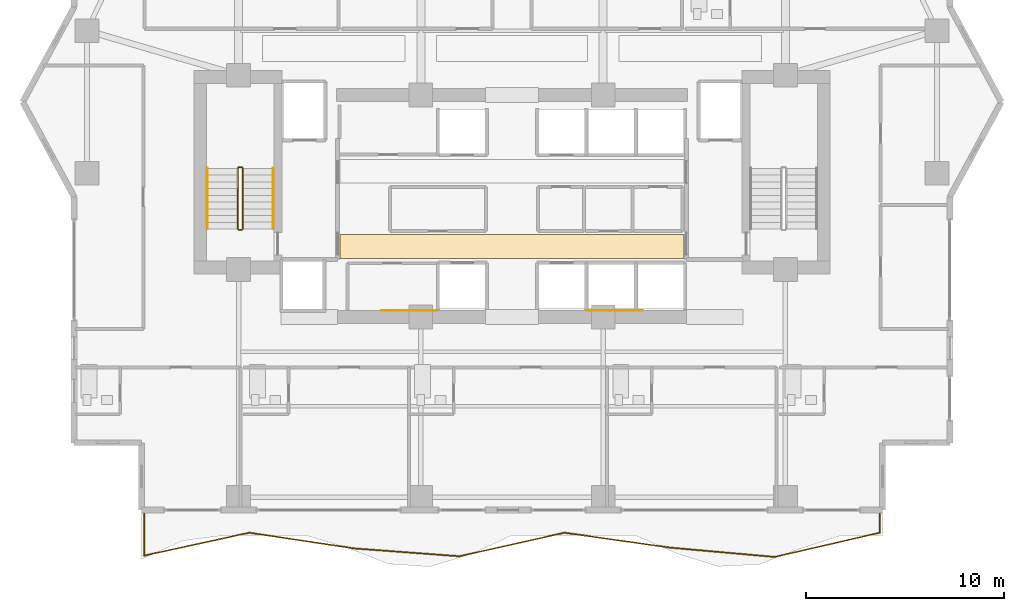
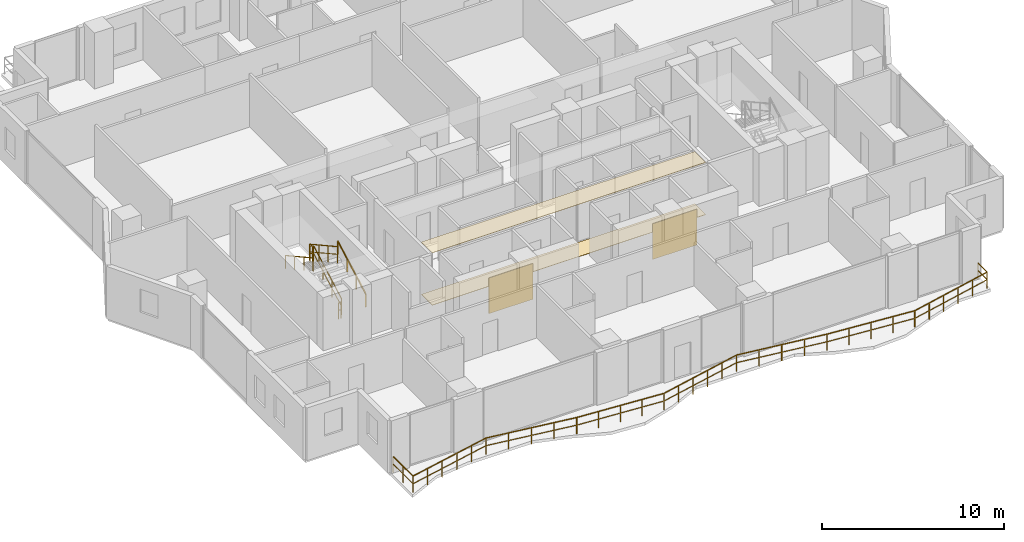
# One storey, part 29 of 32: 7 railings, 4 coverings.
"""IFC4 building model written with IfcOpenShell, lengths in metres."""

from ifc_helpers import new_model, si_unit, direction, frame, origin, origin_2d, place, context, subcontext, project, spatial, polyline, rectangle, outline, extrude, material, layer, layer_set, type_object, element, save


model = new_model("IFC4")

# Units and contexts
model_context = context("Model", 3, precision=1e-05, world=origin(), true_north=direction((0.0, 1.0)))
body_context = subcontext(model_context, "Body", "Model", "MODEL_VIEW")
ifc_project = project(units=[si_unit("LENGTHUNIT", "METRE"), si_unit("AREAUNIT", "SQUARE_METRE"), si_unit("VOLUMEUNIT", "CUBIC_METRE"), si_unit("PLANEANGLEUNIT", "RADIAN"), si_unit("MASSUNIT", "GRAM", prefix="KILO")], contexts=[model_context])

# Site, building, storey
site_placement = place(None, origin())
site = spatial("IfcSite", under=ifc_project, at=site_placement, CompositionType="ELEMENT")
building_placement = place(site_placement, origin())
building = spatial("IfcBuilding", under=site, at=building_placement, Name="Zuhayl Quay Hotel", CompositionType="ELEMENT")
storey_placement = place(building_placement, frame((0.0, 0.0, 177.39990234375)))
storey = spatial("IfcBuildingStorey", under=building, at=storey_placement, Name="L44", CompositionType="ELEMENT", Elevation=177.39990234375)

# Coverings
ifc_material_1 = material(Name="Acoustic Mineral-Fibre Gypsum Board")
ifc_layer_1 = layer(ifc_material_1, 0.02490234375, Name="Acoustic Mineral-Fibre Gypsum Board")
ifc_layer_set_1 = layer_set([ifc_layer_1], Name="Acoustic Mineral-Fibre Gypsum Board")
covering_type_1 = type_object("IfcCoveringType", Name="CV_CEIL_ACOUSTIC", PredefinedType="CEILING", material=ifc_layer_set_1)
covering_1_placement = place(storey_placement, frame((0.0, 0.0, 3.505126953125)))
element("IfcCovering", 1, at=covering_1_placement, inside=storey, type_object=covering_type_1, Name="L44 Suspended Acoustic Lobby Ceiling S", PredefinedType="CEILING", context=body_context, shape_type="SweptSolid", body=[
    extrude(outline(polyline([(-8.679931640625, 5.10009765625), (8.679931640625, 5.10009765625), (8.679931640625, 6.300048828125), (-8.679931640625, 6.300048828125), (-8.679931640625, 5.10009765625)])), origin(), (0.0, 0.0, 1.0), 0.02490234375),
])
ifc_material_2 = material(Name="Polished Limestone Terrazzo", Category="masonry")
ifc_layer_2 = layer(ifc_material_2, 0.02001953125, Name="Polished Limestone Terrazzo", Category="masonry")
ifc_layer_set_2 = layer_set([ifc_layer_2], Name="Polished Limestone Terrazzo")
covering_type_2 = type_object("IfcCoveringType", Name="CV_FLOOR_TERRAZZO", PredefinedType="FLOORING", material=ifc_layer_set_2)
covering_2_placement = place(storey_placement, origin())
element("IfcCovering", 2, at=covering_2_placement, inside=storey, type_object=covering_type_2, Name="L44 Honed Limestone Terrazzo Lobby Flooring S", PredefinedType="FLOORING", context=body_context, shape_type="SweptSolid", body=[
    extrude(outline(polyline([(-8.679931640625, 5.10009765625), (8.679931640625, 5.10009765625), (8.679931640625, 6.300048828125), (-8.679931640625, 6.300048828125), (-8.679931640625, 5.10009765625)])), origin(), (0.0, 0.0, 1.0), 0.02001953125),
])
ifc_material_3 = material(Name="Acoustic Walnut Feature Timber", Category="wood")
ifc_layer_3 = layer(ifc_material_3, 0.02197265625, Name="Acoustic Walnut Feature Timber", Category="wood")
ifc_layer_set_3 = layer_set([ifc_layer_3], Name="Acoustic Walnut Feature Timber")
covering_type_3 = type_object("IfcCoveringType", Name="CV_WALL_CLAD", PredefinedType="CLADDING", material=ifc_layer_set_3)
for number, where, z_axis, x_axis, name in (
    (3, (-5.199951171875, 2.486083984375, 0.300048828125), (0.0, 0.0, 1.0), (1.0, 0.0, 0.0), "L44 Feature Lobby Walnut Wall Cladding W"),
    (4, (5.199951171875, 2.486083984375, 0.300048828125), (0.0, 0.0, 1.0), (1.0, 0.0, 0.0), "L44 Feature Lobby Walnut Wall Cladding E"),
):
    element("IfcCovering", number, at=place(storey_placement, frame(where, z_axis=z_axis, x_axis=x_axis)), inside=storey, type_object=covering_type_3, Name=name, PredefinedType="CLADDING", context=body_context, shape_type="SweptSolid", body=[
        extrude(rectangle(XDim=2.800048828125, YDim=0.02197265625, at=origin_2d()), origin(), (0.0, 0.0, 1.0), 2.39990234375),
    ])

# Railings
ifc_material_4 = material(Name="Anodised Aluminium and Laminated Glass", Category="aluminium")
railing_type_1 = type_object("IfcRailingType", Name="RL_EXT_BAL_1100", PredefinedType="BALUSTRADE", material=ifc_material_4)
railing_1_placement = place(storey_placement, frame((-18.56005859375, -7.719970703125, 0.0)))
element("IfcRailing", 5, at=railing_1_placement, inside=storey, type_object=railing_type_1, Name="L44 Balcony and Terrace Guard GR_L44_BAL_S", PredefinedType="BALUSTRADE", context=body_context, shape_type="SweptSolid", body=[
    extrude(rectangle(XDim=0.048095703125, YDim=0.048095703125, at=origin_2d()), frame((0.0, 0.0, 1.09619140625), z_axis=(0.0, -1.0, 0.0), x_axis=(1.0, 0.0, 0.0)), (0.0, 0.0, 1.0), 2.174072265625),
    extrude(rectangle(XDim=0.0361328125, YDim=0.0361328125, at=origin_2d()), frame((0.0, 0.0, 0.58251953125), z_axis=(0.0, -1.0, 0.0), x_axis=(1.0, 0.0, 0.0)), (0.0, 0.0, 1.0), 2.174072265625),
    extrude(rectangle(XDim=0.048095703125, YDim=0.048095703125, at=origin_2d()), frame((0.0, -2.174072265625, 1.09619140625), z_axis=(0.977129243213, 0.212646283903, 0.0), x_axis=(-0.212646283903, 0.977129243213, 0.0)), (0.0, 0.0, 1.0), 5.427001953125),
    extrude(rectangle(XDim=0.0361328125, YDim=0.0361328125, at=origin_2d()), frame((0.0, -2.174072265625, 0.58251953125), z_axis=(0.977129243213, 0.212646283903, 0.0), x_axis=(-0.212646283903, 0.977129243213, 0.0)), (0.0, 0.0, 1.0), 5.427001953125),
    extrude(rectangle(XDim=0.048095703125, YDim=0.048095703125, at=origin_2d()), frame((5.302978515625, -1.02001953125, 1.09619140625), z_axis=(0.989003050956, -0.147895115539, 0.0), x_axis=(0.147895115539, 0.989003050956, 0.0)), (0.0, 0.0, 1.0), 5.36181640625),
    extrude(rectangle(XDim=0.0361328125, YDim=0.0361328125, at=origin_2d()), frame((5.302978515625, -1.02001953125, 0.58251953125), z_axis=(0.989003050956, -0.147895115539, 0.0), x_axis=(0.147895115539, 0.989003050956, 0.0)), (0.0, 0.0, 1.0), 5.36181640625),
    extrude(rectangle(XDim=0.048095703125, YDim=0.048095703125, at=origin_2d()), frame((10.605712890625, -1.81298828125, 1.09619140625), z_axis=(0.997230297128, -0.074375631018, 0.0), x_axis=(0.074375631018, 0.997230297128, 0.0)), (0.0, 0.0, 1.0), 5.317626953125),
    extrude(rectangle(XDim=0.0361328125, YDim=0.0361328125, at=origin_2d()), frame((10.605712890625, -1.81298828125, 0.58251953125), z_axis=(0.997230297128, -0.074375631018, 0.0), x_axis=(0.074375631018, 0.997230297128, 0.0)), (0.0, 0.0, 1.0), 5.317626953125),
    extrude(rectangle(XDim=0.048095703125, YDim=0.048095703125, at=origin_2d()), frame((15.90869140625, -2.20849609375, 1.09619140625), z_axis=(0.975792221893, 0.218699656362, 0.0), x_axis=(-0.218699656362, 0.975792221893, 0.0)), (0.0, 0.0, 1.0), 5.434326171875),
    extrude(rectangle(XDim=0.0361328125, YDim=0.0361328125, at=origin_2d()), frame((15.90869140625, -2.20849609375, 0.58251953125), z_axis=(0.975792221893, 0.218699656362, 0.0), x_axis=(-0.218699656362, 0.975792221893, 0.0)), (0.0, 0.0, 1.0), 5.434326171875),
    extrude(rectangle(XDim=0.048095703125, YDim=0.048095703125, at=origin_2d()), frame((21.21142578125, -1.02001953125, 1.09619140625), z_axis=(0.990133717701, -0.140125733079, 0.0), x_axis=(0.140125733079, 0.990133717701, 0.0)), (0.0, 0.0, 1.0), 5.355712890625),
    extrude(rectangle(XDim=0.0361328125, YDim=0.0361328125, at=origin_2d()), frame((21.21142578125, -1.02001953125, 0.58251953125), z_axis=(0.990133717701, -0.140125733079, 0.0), x_axis=(0.140125733079, 0.990133717701, 0.0)), (0.0, 0.0, 1.0), 5.355712890625),
    extrude(rectangle(XDim=0.048095703125, YDim=0.048095703125, at=origin_2d()), frame((26.514404296875, -1.7705078125, 1.09619140625), z_axis=(0.996071292425, -0.088554956983, 0.0), x_axis=(0.088554956983, 0.996071292425, 0.0)), (0.0, 0.0, 1.0), 5.32373046875),
    extrude(rectangle(XDim=0.0361328125, YDim=0.0361328125, at=origin_2d()), frame((26.514404296875, -1.7705078125, 0.58251953125), z_axis=(0.996071292425, -0.088554956983, 0.0), x_axis=(0.088554956983, 0.996071292425, 0.0)), (0.0, 0.0, 1.0), 5.32373046875),
    extrude(rectangle(XDim=0.048095703125, YDim=0.048095703125, at=origin_2d()), frame((31.817138671875, -2.241943359375, 1.09619140625), z_axis=(0.974465242047, 0.2245383977, 0.0), x_axis=(-0.2245383977, 0.974465242047, 0.0)), (0.0, 0.0, 1.0), 5.44189453125),
    extrude(rectangle(XDim=0.0361328125, YDim=0.0361328125, at=origin_2d()), frame((31.817138671875, -2.241943359375, 0.58251953125), z_axis=(0.974465242047, 0.2245383977, 0.0), x_axis=(-0.2245383977, 0.974465242047, 0.0)), (0.0, 0.0, 1.0), 5.44189453125),
    extrude(rectangle(XDim=0.048095703125, YDim=0.048095703125, at=origin_2d()), frame((37.1201171875, -1.02001953125, 1.09619140625), z_axis=(0.0, 1.0, 0.0), x_axis=(-1.0, 0.0, 0.0)), (0.0, 0.0, 1.0), 1.02001953125),
    extrude(rectangle(XDim=0.0361328125, YDim=0.0361328125, at=origin_2d()), frame((37.1201171875, -1.02001953125, 0.58251953125), z_axis=(0.0, 1.0, 0.0), x_axis=(-1.0, 0.0, 0.0)), (0.0, 0.0, 1.0), 1.02001953125),
    extrude(rectangle(XDim=0.0419921875, YDim=0.0419921875, at=origin_2d()), origin(), (0.0, 0.0, 1.0), 1.072021484375),
    extrude(rectangle(XDim=0.0419921875, YDim=0.0419921875, at=origin_2d()), frame((0.0, -1.0869140625, 0.0)), (0.0, 0.0, 1.0), 1.072021484375),
    extrude(rectangle(XDim=0.0419921875, YDim=0.0419921875, at=origin_2d()), frame((0.0, -2.174072265625, 0.0)), (0.0, 0.0, 1.0), 1.072021484375),
    extrude(rectangle(XDim=0.0419921875, YDim=0.0419921875, at=origin_2d()), frame((1.060546875, -1.943359375, 0.0)), (0.0, 0.0, 1.0), 1.072021484375),
    extrude(rectangle(XDim=0.0419921875, YDim=0.0419921875, at=origin_2d()), frame((2.12109375, -1.71240234375, 0.0)), (0.0, 0.0, 1.0), 1.072021484375),
    extrude(rectangle(XDim=0.0419921875, YDim=0.0419921875, at=origin_2d()), frame((3.181884765625, -1.481689453125, 0.0)), (0.0, 0.0, 1.0), 1.072021484375),
    extrude(rectangle(XDim=0.0419921875, YDim=0.0419921875, at=origin_2d()), frame((4.242431640625, -1.250732421875, 0.0)), (0.0, 0.0, 1.0), 1.072021484375),
    extrude(rectangle(XDim=0.0419921875, YDim=0.0419921875, at=origin_2d()), frame((5.302978515625, -1.02001953125, 0.0)), (0.0, 0.0, 1.0), 1.072021484375),
    extrude(rectangle(XDim=0.0419921875, YDim=0.0419921875, at=origin_2d()), frame((6.628662109375, -1.21826171875, 0.0)), (0.0, 0.0, 1.0), 1.072021484375),
    extrude(rectangle(XDim=0.0419921875, YDim=0.0419921875, at=origin_2d()), frame((7.954345703125, -1.41650390625, 0.0)), (0.0, 0.0, 1.0), 1.072021484375),
    extrude(rectangle(XDim=0.0419921875, YDim=0.0419921875, at=origin_2d()), frame((9.280029296875, -1.61474609375, 0.0)), (0.0, 0.0, 1.0), 1.072021484375),
    extrude(rectangle(XDim=0.0419921875, YDim=0.0419921875, at=origin_2d()), frame((10.605712890625, -1.81298828125, 0.0)), (0.0, 0.0, 1.0), 1.072021484375),
    extrude(rectangle(XDim=0.0419921875, YDim=0.0419921875, at=origin_2d()), frame((11.931396484375, -1.911865234375, 0.0)), (0.0, 0.0, 1.0), 1.072021484375),
    extrude(rectangle(XDim=0.0419921875, YDim=0.0419921875, at=origin_2d()), frame((13.25732421875, -2.0107421875, 0.0)), (0.0, 0.0, 1.0), 1.072021484375),
    extrude(rectangle(XDim=0.0419921875, YDim=0.0419921875, at=origin_2d()), frame((14.5830078125, -2.109619140625, 0.0)), (0.0, 0.0, 1.0), 1.072021484375),
    extrude(rectangle(XDim=0.0419921875, YDim=0.0419921875, at=origin_2d()), frame((15.90869140625, -2.20849609375, 0.0)), (0.0, 0.0, 1.0), 1.072021484375),
    extrude(rectangle(XDim=0.0419921875, YDim=0.0419921875, at=origin_2d()), frame((16.96923828125, -1.970703125, 0.0)), (0.0, 0.0, 1.0), 1.072021484375),
    extrude(rectangle(XDim=0.0419921875, YDim=0.0419921875, at=origin_2d()), frame((18.02978515625, -1.733154296875, 0.0)), (0.0, 0.0, 1.0), 1.072021484375),
    extrude(rectangle(XDim=0.0419921875, YDim=0.0419921875, at=origin_2d()), frame((19.09033203125, -1.495361328125, 0.0)), (0.0, 0.0, 1.0), 1.072021484375),
    extrude(rectangle(XDim=0.0419921875, YDim=0.0419921875, at=origin_2d()), frame((20.15087890625, -1.2578125, 0.0)), (0.0, 0.0, 1.0), 1.072021484375),
    extrude(rectangle(XDim=0.0419921875, YDim=0.0419921875, at=origin_2d()), frame((21.21142578125, -1.02001953125, 0.0)), (0.0, 0.0, 1.0), 1.072021484375),
    extrude(rectangle(XDim=0.0419921875, YDim=0.0419921875, at=origin_2d()), frame((22.537109375, -1.20751953125, 0.0)), (0.0, 0.0, 1.0), 1.072021484375),
    extrude(rectangle(XDim=0.0419921875, YDim=0.0419921875, at=origin_2d()), frame((23.86279296875, -1.395263671875, 0.0)), (0.0, 0.0, 1.0), 1.072021484375),
    extrude(rectangle(XDim=0.0419921875, YDim=0.0419921875, at=origin_2d()), frame((25.188720703125, -1.5830078125, 0.0)), (0.0, 0.0, 1.0), 1.072021484375),
    extrude(rectangle(XDim=0.0419921875, YDim=0.0419921875, at=origin_2d()), frame((26.514404296875, -1.7705078125, 0.0)), (0.0, 0.0, 1.0), 1.072021484375),
    extrude(rectangle(XDim=0.0419921875, YDim=0.0419921875, at=origin_2d()), frame((27.840087890625, -1.888427734375, 0.0)), (0.0, 0.0, 1.0), 1.072021484375),
    extrude(rectangle(XDim=0.0419921875, YDim=0.0419921875, at=origin_2d()), frame((29.165771484375, -2.00634765625, 0.0)), (0.0, 0.0, 1.0), 1.072021484375),
    extrude(rectangle(XDim=0.0419921875, YDim=0.0419921875, at=origin_2d()), frame((30.491455078125, -2.1240234375, 0.0)), (0.0, 0.0, 1.0), 1.072021484375),
    extrude(rectangle(XDim=0.0419921875, YDim=0.0419921875, at=origin_2d()), frame((31.817138671875, -2.241943359375, 0.0)), (0.0, 0.0, 1.0), 1.072021484375),
    extrude(rectangle(XDim=0.0419921875, YDim=0.0419921875, at=origin_2d()), frame((32.877685546875, -1.99755859375, 0.0)), (0.0, 0.0, 1.0), 1.072021484375),
    extrude(rectangle(XDim=0.0419921875, YDim=0.0419921875, at=origin_2d()), frame((33.938232421875, -1.753173828125, 0.0)), (0.0, 0.0, 1.0), 1.072021484375),
    extrude(rectangle(XDim=0.0419921875, YDim=0.0419921875, at=origin_2d()), frame((34.9990234375, -1.5087890625, 0.0)), (0.0, 0.0, 1.0), 1.072021484375),
    extrude(rectangle(XDim=0.0419921875, YDim=0.0419921875, at=origin_2d()), frame((36.0595703125, -1.264404296875, 0.0)), (0.0, 0.0, 1.0), 1.072021484375),
    extrude(rectangle(XDim=0.0419921875, YDim=0.0419921875, at=origin_2d()), frame((37.1201171875, -1.02001953125, 0.0)), (0.0, 0.0, 1.0), 1.072021484375),
    extrude(rectangle(XDim=0.0419921875, YDim=0.0419921875, at=origin_2d()), frame((37.1201171875, 0.0, 0.0)), (0.0, 0.0, 1.0), 1.072021484375),
])
ifc_material_5 = material(Name="Steel ASTM A992 Grade 50", Category="steel")
railing_type_2 = type_object("IfcRailingType", Name="RL_GUARD_1100", PredefinedType="GUARDRAIL", material=ifc_material_5)
railing_2_placement = place(storey_placement, frame((-13.590087890625, 6.590087890625, 0.1875)))
element("IfcRailing", 6, at=railing_2_placement, inside=storey, type_object=railing_type_2, Name="L44 ST1 stair guard 1", PredefinedType="GUARDRAIL", context=body_context, shape_type="SweptSolid", body=[
    extrude(rectangle(XDim=0.048095703125, YDim=0.048095703125, at=origin_2d()), frame((0.0, 0.0, 1.09619140625), z_axis=(0.0, 0.875659195171, 0.482929574485), x_axis=(-1.0, 0.0, 0.0)), (0.0, 0.0, 1.0), 3.494384765625),
    extrude(rectangle(XDim=0.0361328125, YDim=0.0361328125, at=origin_2d()), frame((0.0, 0.0, 0.58251953125), z_axis=(0.0, 0.875659195171, 0.482929574485), x_axis=(-1.0, 0.0, 0.0)), (0.0, 0.0, 1.0), 3.494384765625),
    extrude(rectangle(XDim=0.0419921875, YDim=0.0419921875, at=origin_2d()), origin(), (0.0, 0.0, 1.0), 1.072021484375),
    extrude(rectangle(XDim=0.0419921875, YDim=0.0419921875, at=origin_2d()), frame((0.0, 1.02001953125, 0.5625)), (0.0, 0.0, 1.0), 1.072021484375),
    extrude(rectangle(XDim=0.0419921875, YDim=0.0419921875, at=origin_2d()), frame((0.0, 2.039794921875, 1.125)), (0.0, 0.0, 1.0), 1.072021484375),
    extrude(rectangle(XDim=0.0419921875, YDim=0.0419921875, at=origin_2d()), frame((0.0, 3.059814453125, 1.6875)), (0.0, 0.0, 1.0), 1.072021484375),
])
railing_3_placement = place(storey_placement, frame((-13.639892578125, 9.699951171875, 1.875)))
element("IfcRailing", 7, at=railing_3_placement, inside=storey, type_object=railing_type_2, Name="L44 ST1 stair guard 2", PredefinedType="GUARDRAIL", context=body_context, shape_type="SweptSolid", body=[
    extrude(rectangle(XDim=0.048095703125, YDim=0.048095703125, at=origin_2d()), frame((0.0, 0.0, 1.09619140625), z_axis=(-1.0, 0.0, 0.0), x_axis=(0.0, -1.0, 0.0)), (0.0, 0.0, 1.0), 0.150146484375),
    extrude(rectangle(XDim=0.0361328125, YDim=0.0361328125, at=origin_2d()), frame((0.0, 0.0, 0.58251953125), z_axis=(-1.0, 0.0, 0.0), x_axis=(0.0, -1.0, 0.0)), (0.0, 0.0, 1.0), 0.150146484375),
    extrude(rectangle(XDim=0.0419921875, YDim=0.0419921875, at=origin_2d()), origin(), (0.0, 0.0, 1.0), 1.072021484375),
    extrude(rectangle(XDim=0.0419921875, YDim=0.0419921875, at=origin_2d()), frame((-0.150146484375, 0.0, 0.0)), (0.0, 0.0, 1.0), 1.072021484375),
])
railing_4_placement = place(storey_placement, frame((-13.840087890625, 9.64990234375, 2.0625)))
element("IfcRailing", 8, at=railing_4_placement, inside=storey, type_object=railing_type_2, Name="L44 ST1 stair guard 3", PredefinedType="GUARDRAIL", context=body_context, shape_type="SweptSolid", body=[
    extrude(rectangle(XDim=0.048095703125, YDim=0.048095703125, at=origin_2d()), frame((0.0, 0.0, 1.09619140625), z_axis=(0.0, -0.875659195171, 0.482929574485), x_axis=(1.0, 0.0, 0.0)), (0.0, 0.0, 1.0), 3.494384765625),
    extrude(rectangle(XDim=0.0361328125, YDim=0.0361328125, at=origin_2d()), frame((0.0, 0.0, 0.58251953125), z_axis=(0.0, -0.875659195171, 0.482929574485), x_axis=(1.0, 0.0, 0.0)), (0.0, 0.0, 1.0), 3.494384765625),
    extrude(rectangle(XDim=0.0419921875, YDim=0.0419921875, at=origin_2d()), origin(), (0.0, 0.0, 1.0), 1.072021484375),
    extrude(rectangle(XDim=0.0419921875, YDim=0.0419921875, at=origin_2d()), frame((0.0, -1.02001953125, 0.5625)), (0.0, 0.0, 1.0), 1.072021484375),
    extrude(rectangle(XDim=0.0419921875, YDim=0.0419921875, at=origin_2d()), frame((0.0, -2.039794921875, 1.125)), (0.0, 0.0, 1.0), 1.072021484375),
    extrude(rectangle(XDim=0.0419921875, YDim=0.0419921875, at=origin_2d()), frame((0.0, -3.059814453125, 1.6875)), (0.0, 0.0, 1.0), 1.072021484375),
])
railing_5_placement = place(storey_placement, frame((-13.639892578125, 6.5400390625, 0.0)))
element("IfcRailing", 9, at=railing_5_placement, inside=storey, type_object=railing_type_2, Name="L44 ST1 stair guard 4", PredefinedType="GUARDRAIL", context=body_context, shape_type="SweptSolid", body=[
    extrude(rectangle(XDim=0.048095703125, YDim=0.048095703125, at=origin_2d()), frame((0.0, 0.0, 1.09619140625), z_axis=(-1.0, 0.0, 0.0), x_axis=(0.0, -1.0, 0.0)), (0.0, 0.0, 1.0), 0.150146484375),
    extrude(rectangle(XDim=0.0361328125, YDim=0.0361328125, at=origin_2d()), frame((0.0, 0.0, 0.58251953125), z_axis=(-1.0, 0.0, 0.0), x_axis=(0.0, -1.0, 0.0)), (0.0, 0.0, 1.0), 0.150146484375),
    extrude(rectangle(XDim=0.0419921875, YDim=0.0419921875, at=origin_2d()), origin(), (0.0, 0.0, 1.0), 1.072021484375),
    extrude(rectangle(XDim=0.0419921875, YDim=0.0419921875, at=origin_2d()), frame((-0.150146484375, 0.0, 0.0)), (0.0, 0.0, 1.0), 1.072021484375),
])
railing_type_3 = type_object("IfcRailingType", Name="RL_HANDRAIL_920", PredefinedType="HANDRAIL", material=ifc_material_5)
railing_6_placement = place(storey_placement, frame((-12.050048828125, 6.590087890625, 0.1875)))
element("IfcRailing", 10, at=railing_6_placement, inside=storey, type_object=railing_type_3, Name="L44 ST1 stair handrail 1", PredefinedType="HANDRAIL", context=body_context, shape_type="SweptSolid", body=[
    extrude(rectangle(XDim=0.048095703125, YDim=0.048095703125, at=origin_2d()), frame((0.0, 0.0, 0.8759765625), z_axis=(0.0, 0.875659195171, 0.482929574485), x_axis=(-1.0, 0.0, 0.0)), (0.0, 0.0, 1.0), 3.494384765625),
    extrude(rectangle(XDim=0.0419921875, YDim=0.0419921875, at=origin_2d()), origin(), (0.0, 0.0, 1.0), 0.851806640625),
    extrude(rectangle(XDim=0.0419921875, YDim=0.0419921875, at=origin_2d()), frame((0.0, 1.02001953125, 0.5625)), (0.0, 0.0, 1.0), 0.851806640625),
    extrude(rectangle(XDim=0.0419921875, YDim=0.0419921875, at=origin_2d()), frame((0.0, 2.039794921875, 1.125)), (0.0, 0.0, 1.0), 0.851806640625),
    extrude(rectangle(XDim=0.0419921875, YDim=0.0419921875, at=origin_2d()), frame((0.0, 3.059814453125, 1.6875)), (0.0, 0.0, 1.0), 0.851806640625),
])
railing_7_placement = place(storey_placement, frame((-15.3798828125, 9.64990234375, 2.0625)))
element("IfcRailing", 11, at=railing_7_placement, inside=storey, type_object=railing_type_3, Name="L44 ST1 stair handrail 2", PredefinedType="HANDRAIL", context=body_context, shape_type="SweptSolid", body=[
    extrude(rectangle(XDim=0.048095703125, YDim=0.048095703125, at=origin_2d()), frame((0.0, 0.0, 0.8759765625), z_axis=(0.0, -0.875659195171, 0.482929574485), x_axis=(1.0, 0.0, 0.0)), (0.0, 0.0, 1.0), 3.494384765625),
    extrude(rectangle(XDim=0.0419921875, YDim=0.0419921875, at=origin_2d()), origin(), (0.0, 0.0, 1.0), 0.851806640625),
    extrude(rectangle(XDim=0.0419921875, YDim=0.0419921875, at=origin_2d()), frame((0.0, -1.02001953125, 0.5625)), (0.0, 0.0, 1.0), 0.851806640625),
    extrude(rectangle(XDim=0.0419921875, YDim=0.0419921875, at=origin_2d()), frame((0.0, -2.039794921875, 1.125)), (0.0, 0.0, 1.0), 0.851806640625),
    extrude(rectangle(XDim=0.0419921875, YDim=0.0419921875, at=origin_2d()), frame((0.0, -3.059814453125, 1.6875)), (0.0, 0.0, 1.0), 0.851806640625),
])

save(model, "model.ifc")
